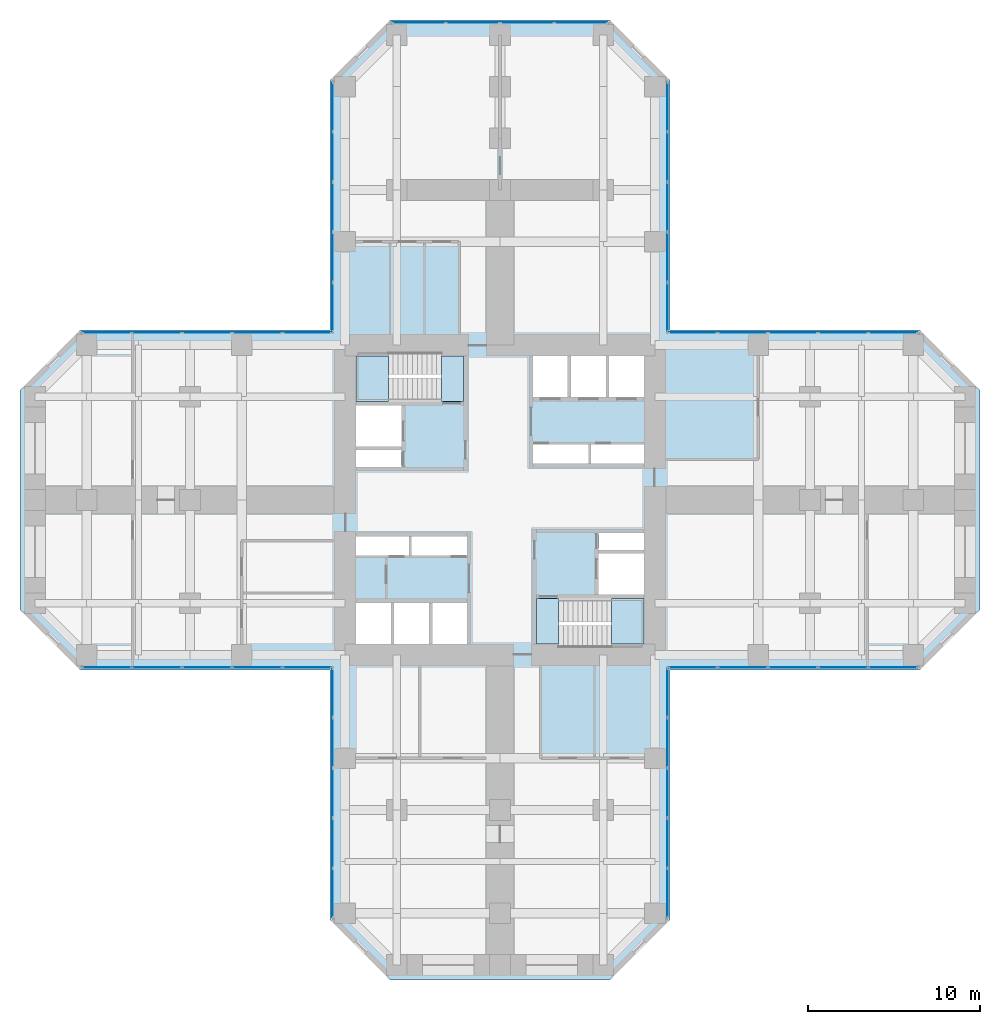
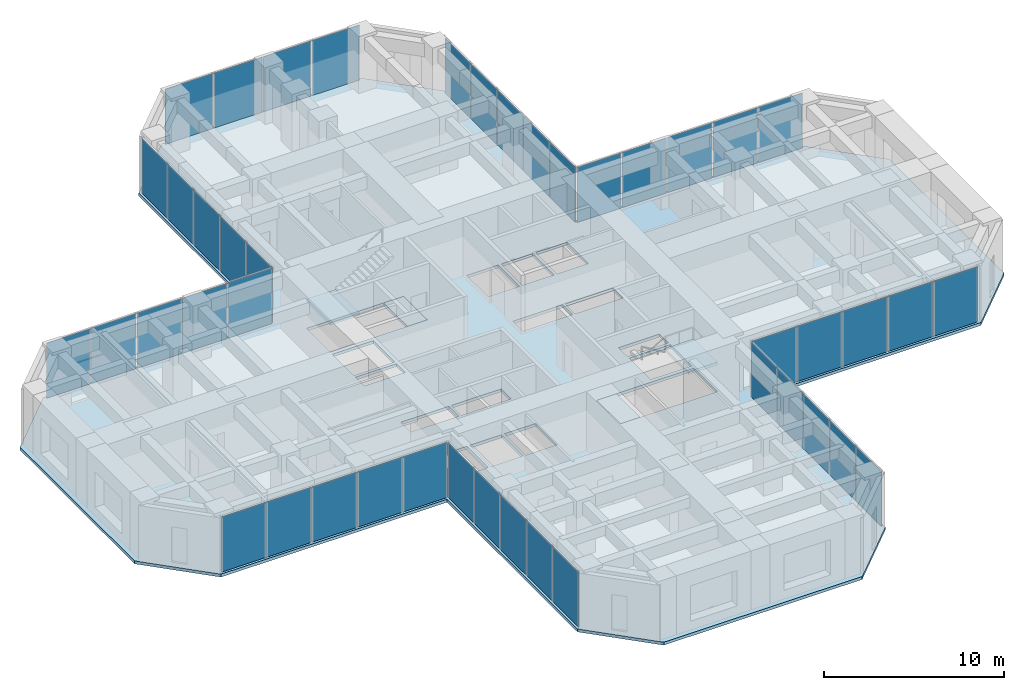
# One storey, part 7 of 12: 44 plates, 5 slabs, 11 elements without a shape of their own.
"""IFC4 building model written with IfcOpenShell, lengths in metres."""

from ifc_helpers import new_model, si_unit, direction, frame, origin, origin_2d, place, context, subcontext, project, spatial, polyline, rectangle, outline, extrude, material, layer, layer_set, type_object, element, aggregate, save


model = new_model("IFC4")

# Units and contexts
model_context = context("Model", 3, precision=1e-05, world=origin(), true_north=direction((0.0, 1.0)))
body_context = subcontext(model_context, "Body", "Model", "MODEL_VIEW")
ifc_project = project(units=[si_unit("LENGTHUNIT", "METRE"), si_unit("AREAUNIT", "SQUARE_METRE"), si_unit("VOLUMEUNIT", "CUBIC_METRE"), si_unit("PLANEANGLEUNIT", "RADIAN"), si_unit("MASSUNIT", "GRAM", prefix="KILO")], contexts=[model_context])

# Site, building, storey
site_placement = place(None, origin())
site = spatial("IfcSite", under=ifc_project, at=site_placement, CompositionType="ELEMENT")
building_placement = place(site_placement, origin())
building = spatial("IfcBuilding", under=site, at=building_placement, Name="Torre Cruceta", CompositionType="ELEMENT")
storey_placement = place(building_placement, frame((0.0, 0.0, 35.5)))
storey = spatial("IfcBuildingStorey", under=building, at=storey_placement, Name="L08", CompositionType="ELEMENT", Elevation=35.5)

# Curtain wall, plate
ifc_material_1 = material(Name="Aluminium unitised curtain wall", Category="aluminium")
curtain_wall_type = type_object("IfcCurtainWallType", Name="CURTAIN WALL CW-A OFFICE LOW RISE", PredefinedType="USERDEFINED", material=ifc_material_1)
curtain_wall_1_placement = place(storey_placement, origin())
curtain_wall_1 = element("IfcCurtainWall", 1, at=curtain_wall_1_placement, inside=storey, type_object=curtain_wall_type, Name="CW-A L08 E side 00", ObjectType="UNITISED", PredefinedType="USERDEFINED")
ifc_material_2 = material(Name="Laminated insulating glass unit, diagonal frit 50 %", Category="glass")
ifc_material_3 = material(Name="Laminated insulating glass unit, diagonal frit 50 %", Category="glass")
ifc_layer_1 = layer(ifc_material_3, 0.033935546875)
ifc_layer_set_1 = layer_set([ifc_layer_1], Name="Laminated insulating glass unit, diagonal frit 50 %")
plate_type_1 = type_object("IfcPlateType", Name="CW-A OPERABLE VENT PANEL 34", PredefinedType="CURTAIN_PANEL", material=ifc_layer_set_1)
plate_1_placement = place(storey_placement, frame((17.009033203125, -9.719970703125, 0.010009765625), z_axis=(0.0, 0.0, 1.0), x_axis=(1.0, 0.0, 0.0)))
plate_1 = element("IfcPlate", 2, at=plate_1_placement, type_object=plate_type_1, material=ifc_material_2, Name="CW-A vent 3", PredefinedType="CURTAIN_PANEL", context=body_context, shape_type="SweptSolid", body=[
    extrude(rectangle(XDim=2.8505859375, YDim=0.033935546875, at=origin_2d()), origin(), (0.0, 0.0, 1.0), 3.72509765625),
])

curtain_wall_2_placement = place(storey_placement, origin())
curtain_wall_2 = element("IfcCurtainWall", 3, at=curtain_wall_2_placement, inside=storey, type_object=curtain_wall_type, Name="CW-A L08 E side 04", ObjectType="UNITISED", PredefinedType="USERDEFINED")
plate_2_placement = place(storey_placement, frame((17.009033203125, 9.719970703125, 0.010009765625), z_axis=(0.0, 0.0, 1.0), x_axis=(-1.0, 0.0, 0.0)))
plate_2 = element("IfcPlate", 4, at=plate_2_placement, type_object=plate_type_1, material=ifc_material_2, Name="CW-A vent 3", PredefinedType="CURTAIN_PANEL", context=body_context, shape_type="SweptSolid", body=[
    extrude(rectangle(XDim=2.8505859375, YDim=0.033935546875, at=origin_2d()), origin(), (0.0, 0.0, 1.0), 3.72509765625),
])

curtain_wall_3_placement = place(storey_placement, origin())
curtain_wall_3 = element("IfcCurtainWall", 5, at=curtain_wall_3_placement, inside=storey, type_object=curtain_wall_type, Name="CW-A L08 N side 05", ObjectType="UNITISED", PredefinedType="USERDEFINED")
plate_3_placement = place(storey_placement, frame((9.719970703125, 17.009033203125, 0.010009765625), z_axis=(0.0, 0.0, 1.0), x_axis=(0.0, 1.0, 0.0)))
plate_3 = element("IfcPlate", 6, at=plate_3_placement, type_object=plate_type_1, material=ifc_material_2, Name="CW-A vent 3", PredefinedType="CURTAIN_PANEL", context=body_context, shape_type="SweptSolid", body=[
    extrude(rectangle(XDim=2.8505859375, YDim=0.033935546875, at=origin_2d()), origin(), (0.0, 0.0, 1.0), 3.72509765625),
])

curtain_wall_4_placement = place(storey_placement, origin())
curtain_wall_4 = element("IfcCurtainWall", 7, at=curtain_wall_4_placement, inside=storey, type_object=curtain_wall_type, Name="CW-A L08 N tip 07", ObjectType="UNITISED", PredefinedType="USERDEFINED")
plate_4_placement = place(storey_placement, frame((-1.574462890625, 27.719970703125, 0.010009765625), z_axis=(0.0, 0.0, 1.0), x_axis=(-1.0, 0.0, 0.0)))
plate_4 = element("IfcPlate", 8, at=plate_4_placement, type_object=plate_type_1, material=ifc_material_2, Name="CW-A vent 3", PredefinedType="CURTAIN_PANEL", context=body_context, shape_type="SweptSolid", body=[
    extrude(rectangle(XDim=3.084228515625, YDim=0.033935546875, at=origin_2d()), origin(), (0.0, 0.0, 1.0), 3.72509765625),
])

curtain_wall_5_placement = place(storey_placement, origin())
curtain_wall_5 = element("IfcCurtainWall", 9, at=curtain_wall_5_placement, inside=storey, type_object=curtain_wall_type, Name="CW-A L08 N side 09", ObjectType="UNITISED", PredefinedType="USERDEFINED")
plate_5_placement = place(storey_placement, frame((-9.719970703125, 17.009033203125, 0.010009765625), z_axis=(0.0, 0.0, 1.0), x_axis=(0.0, -1.0, 0.0)))
plate_5 = element("IfcPlate", 10, at=plate_5_placement, type_object=plate_type_1, material=ifc_material_2, Name="CW-A vent 3", PredefinedType="CURTAIN_PANEL", context=body_context, shape_type="SweptSolid", body=[
    extrude(rectangle(XDim=2.8505859375, YDim=0.033935546875, at=origin_2d()), origin(), (0.0, 0.0, 1.0), 3.72509765625),
])

curtain_wall_6_placement = place(storey_placement, origin())
curtain_wall_6 = element("IfcCurtainWall", 11, at=curtain_wall_6_placement, inside=storey, type_object=curtain_wall_type, Name="CW-A L08 W side 10", ObjectType="UNITISED", PredefinedType="USERDEFINED")
plate_6_placement = place(storey_placement, frame((-17.009033203125, 9.719970703125, 0.010009765625), z_axis=(0.0, 0.0, 1.0), x_axis=(-1.0, 0.0, 0.0)))
plate_6 = element("IfcPlate", 12, at=plate_6_placement, type_object=plate_type_1, material=ifc_material_2, Name="CW-A vent 3", PredefinedType="CURTAIN_PANEL", context=body_context, shape_type="SweptSolid", body=[
    extrude(rectangle(XDim=2.8505859375, YDim=0.033935546875, at=origin_2d()), origin(), (0.0, 0.0, 1.0), 3.72509765625),
])

curtain_wall_7_placement = place(storey_placement, origin())
curtain_wall_7 = element("IfcCurtainWall", 13, at=curtain_wall_7_placement, inside=storey, type_object=curtain_wall_type, Name="CW-A L08 W side 14", ObjectType="UNITISED", PredefinedType="USERDEFINED")
plate_7_placement = place(storey_placement, frame((-17.009033203125, -9.719970703125, 0.010009765625), z_axis=(0.0, 0.0, 1.0), x_axis=(1.0, 0.0, 0.0)))
plate_7 = element("IfcPlate", 14, at=plate_7_placement, type_object=plate_type_1, material=ifc_material_2, Name="CW-A vent 3", PredefinedType="CURTAIN_PANEL", context=body_context, shape_type="SweptSolid", body=[
    extrude(rectangle(XDim=2.8505859375, YDim=0.033935546875, at=origin_2d()), origin(), (0.0, 0.0, 1.0), 3.72509765625),
])

curtain_wall_8_placement = place(storey_placement, origin())
curtain_wall_8 = element("IfcCurtainWall", 15, at=curtain_wall_8_placement, inside=storey, type_object=curtain_wall_type, Name="CW-A L08 S side 15", ObjectType="UNITISED", PredefinedType="USERDEFINED")
plate_8_placement = place(storey_placement, frame((-9.719970703125, -17.009033203125, 0.010009765625), z_axis=(0.0, 0.0, 1.0), x_axis=(0.0, -1.0, 0.0)))
plate_8 = element("IfcPlate", 16, at=plate_8_placement, type_object=plate_type_1, material=ifc_material_2, Name="CW-A vent 3", PredefinedType="CURTAIN_PANEL", context=body_context, shape_type="SweptSolid", body=[
    extrude(rectangle(XDim=2.8505859375, YDim=0.033935546875, at=origin_2d()), origin(), (0.0, 0.0, 1.0), 3.72509765625),
])

curtain_wall_9_placement = place(storey_placement, origin())
curtain_wall_9 = element("IfcCurtainWall", 17, at=curtain_wall_9_placement, inside=storey, type_object=curtain_wall_type, Name="CW-A L08 S side 19", ObjectType="UNITISED", PredefinedType="USERDEFINED")
plate_9_placement = place(storey_placement, frame((9.719970703125, -17.009033203125, 0.010009765625), z_axis=(0.0, 0.0, 1.0), x_axis=(0.0, 1.0, 0.0)))
plate_9 = element("IfcPlate", 18, at=plate_9_placement, type_object=plate_type_1, material=ifc_material_2, Name="CW-A vent 3", PredefinedType="CURTAIN_PANEL", context=body_context, shape_type="SweptSolid", body=[
    extrude(rectangle(XDim=2.8505859375, YDim=0.033935546875, at=origin_2d()), origin(), (0.0, 0.0, 1.0), 3.72509765625),
])

# Plate
ifc_material_4 = material(Name="Laminated insulating glass unit, diagonal frit 50 %", Category="glass")
ifc_layer_2 = layer(ifc_material_4, 0.033935546875)
ifc_layer_set_2 = layer_set([ifc_layer_2], Name="Laminated insulating glass unit, diagonal frit 50 %")
plate_type_2 = type_object("IfcPlateType", Name="CW-A PANEL 34", PredefinedType="CURTAIN_PANEL", material=ifc_layer_set_2)
plate_10_placement = place(storey_placement, frame((11.194091796875, -9.719970703125, 0.010009765625), z_axis=(0.0, 0.0, 1.0), x_axis=(1.0, 0.0, 0.0)))
plate_10 = element("IfcPlate", 19, at=plate_10_placement, type_object=plate_type_2, material=ifc_material_2, Name="CW-A panel 1", PredefinedType="CURTAIN_PANEL", context=body_context, shape_type="SweptSolid", body=[
    extrude(rectangle(XDim=2.818115234375, YDim=0.033935546875, at=origin_2d()), origin(), (0.0, 0.0, 1.0), 3.72509765625),
])

plate_11_placement = place(storey_placement, frame((14.093505859375, -9.719970703125, 0.010009765625), z_axis=(0.0, 0.0, 1.0), x_axis=(1.0, 0.0, 0.0)))
plate_11 = element("IfcPlate", 20, at=plate_11_placement, type_object=plate_type_2, material=ifc_material_2, Name="CW-A panel 2", PredefinedType="CURTAIN_PANEL", context=body_context, shape_type="SweptSolid", body=[
    extrude(rectangle(XDim=2.8505859375, YDim=0.033935546875, at=origin_2d()), origin(), (0.0, 0.0, 1.0), 3.72509765625),
])

plate_12_placement = place(storey_placement, frame((19.9248046875, -9.719970703125, 0.010009765625), z_axis=(0.0, 0.0, 1.0), x_axis=(1.0, 0.0, 0.0)))
plate_12 = element("IfcPlate", 21, at=plate_12_placement, type_object=plate_type_2, material=ifc_material_2, Name="CW-A panel 4", PredefinedType="CURTAIN_PANEL", context=body_context, shape_type="SweptSolid", body=[
    extrude(rectangle(XDim=2.8505859375, YDim=0.033935546875, at=origin_2d()), origin(), (0.0, 0.0, 1.0), 3.72509765625),
])

ifc_material_5 = material(Name="Laminated insulating glass unit, low-iron clear", Category="glass")
plate_13_placement = place(storey_placement, frame((22.82421875, -9.719970703125, 0.010009765625), z_axis=(0.0, 0.0, 1.0), x_axis=(1.0, 0.0, 0.0)))
plate_13 = element("IfcPlate", 22, at=plate_13_placement, type_object=plate_type_2, material=ifc_material_5, Name="CW-A panel 5", PredefinedType="CURTAIN_PANEL", context=body_context, shape_type="SweptSolid", body=[
    extrude(rectangle(XDim=2.818115234375, YDim=0.033935546875, at=origin_2d()), origin(), (0.0, 0.0, 1.0), 3.72509765625),
])

aggregate(curtain_wall_1, [plate_10, plate_11, plate_1, plate_12, plate_13])

plate_14_placement = place(storey_placement, frame((22.82421875, 9.719970703125, 0.010009765625), z_axis=(0.0, 0.0, 1.0), x_axis=(-1.0, 0.0, 0.0)))
plate_14 = element("IfcPlate", 23, at=plate_14_placement, type_object=plate_type_2, material=ifc_material_2, Name="CW-A panel 1", PredefinedType="CURTAIN_PANEL", context=body_context, shape_type="SweptSolid", body=[
    extrude(rectangle(XDim=2.818115234375, YDim=0.033935546875, at=origin_2d()), origin(), (0.0, 0.0, 1.0), 3.72509765625),
])

plate_15_placement = place(storey_placement, frame((19.9248046875, 9.719970703125, 0.010009765625), z_axis=(0.0, 0.0, 1.0), x_axis=(-1.0, 0.0, 0.0)))
plate_15 = element("IfcPlate", 24, at=plate_15_placement, type_object=plate_type_2, material=ifc_material_2, Name="CW-A panel 2", PredefinedType="CURTAIN_PANEL", context=body_context, shape_type="SweptSolid", body=[
    extrude(rectangle(XDim=2.8505859375, YDim=0.033935546875, at=origin_2d()), origin(), (0.0, 0.0, 1.0), 3.72509765625),
])

plate_16_placement = place(storey_placement, frame((14.093505859375, 9.719970703125, 0.010009765625), z_axis=(0.0, 0.0, 1.0), x_axis=(-1.0, 0.0, 0.0)))
plate_16 = element("IfcPlate", 25, at=plate_16_placement, type_object=plate_type_2, material=ifc_material_2, Name="CW-A panel 4", PredefinedType="CURTAIN_PANEL", context=body_context, shape_type="SweptSolid", body=[
    extrude(rectangle(XDim=2.8505859375, YDim=0.033935546875, at=origin_2d()), origin(), (0.0, 0.0, 1.0), 3.72509765625),
])

plate_17_placement = place(storey_placement, frame((11.194091796875, 9.719970703125, 0.010009765625), z_axis=(0.0, 0.0, 1.0), x_axis=(-1.0, 0.0, 0.0)))
plate_17 = element("IfcPlate", 26, at=plate_17_placement, type_object=plate_type_2, material=ifc_material_5, Name="CW-A panel 5", PredefinedType="CURTAIN_PANEL", context=body_context, shape_type="SweptSolid", body=[
    extrude(rectangle(XDim=2.818115234375, YDim=0.033935546875, at=origin_2d()), origin(), (0.0, 0.0, 1.0), 3.72509765625),
])

aggregate(curtain_wall_2, [plate_14, plate_15, plate_2, plate_16, plate_17])

plate_18_placement = place(storey_placement, frame((9.719970703125, 11.194091796875, 0.010009765625), z_axis=(0.0, 0.0, 1.0), x_axis=(0.0, 1.0, 0.0)))
plate_18 = element("IfcPlate", 27, at=plate_18_placement, type_object=plate_type_2, material=ifc_material_2, Name="CW-A panel 1", PredefinedType="CURTAIN_PANEL", context=body_context, shape_type="SweptSolid", body=[
    extrude(rectangle(XDim=2.818115234375, YDim=0.033935546875, at=origin_2d()), origin(), (0.0, 0.0, 1.0), 3.72509765625),
])

plate_19_placement = place(storey_placement, frame((9.719970703125, 14.093505859375, 0.010009765625), z_axis=(0.0, 0.0, 1.0), x_axis=(0.0, 1.0, 0.0)))
plate_19 = element("IfcPlate", 28, at=plate_19_placement, type_object=plate_type_2, material=ifc_material_2, Name="CW-A panel 2", PredefinedType="CURTAIN_PANEL", context=body_context, shape_type="SweptSolid", body=[
    extrude(rectangle(XDim=2.8505859375, YDim=0.033935546875, at=origin_2d()), origin(), (0.0, 0.0, 1.0), 3.72509765625),
])

plate_20_placement = place(storey_placement, frame((9.719970703125, 19.9248046875, 0.010009765625), z_axis=(0.0, 0.0, 1.0), x_axis=(0.0, 1.0, 0.0)))
plate_20 = element("IfcPlate", 29, at=plate_20_placement, type_object=plate_type_2, material=ifc_material_2, Name="CW-A panel 4", PredefinedType="CURTAIN_PANEL", context=body_context, shape_type="SweptSolid", body=[
    extrude(rectangle(XDim=2.8505859375, YDim=0.033935546875, at=origin_2d()), origin(), (0.0, 0.0, 1.0), 3.72509765625),
])

plate_21_placement = place(storey_placement, frame((9.719970703125, 22.82421875, 0.010009765625), z_axis=(0.0, 0.0, 1.0), x_axis=(0.0, 1.0, 0.0)))
plate_21 = element("IfcPlate", 30, at=plate_21_placement, type_object=plate_type_2, material=ifc_material_5, Name="CW-A panel 5", PredefinedType="CURTAIN_PANEL", context=body_context, shape_type="SweptSolid", body=[
    extrude(rectangle(XDim=2.818115234375, YDim=0.033935546875, at=origin_2d()), origin(), (0.0, 0.0, 1.0), 3.72509765625),
])

aggregate(curtain_wall_3, [plate_18, plate_19, plate_3, plate_20, plate_21])

plate_22_placement = place(storey_placement, frame((4.70751953125, 27.719970703125, 0.010009765625), z_axis=(0.0, 0.0, 1.0), x_axis=(-1.0, 0.0, 0.0)))
plate_22 = element("IfcPlate", 31, at=plate_22_placement, type_object=plate_type_2, material=ifc_material_2, Name="CW-A panel 1", PredefinedType="CURTAIN_PANEL", context=body_context, shape_type="SweptSolid", body=[
    extrude(rectangle(XDim=3.051513671875, YDim=0.033935546875, at=origin_2d()), origin(), (0.0, 0.0, 1.0), 3.72509765625),
])

plate_23_placement = place(storey_placement, frame((1.574462890625, 27.719970703125, 0.010009765625), z_axis=(0.0, 0.0, 1.0), x_axis=(-1.0, 0.0, 0.0)))
plate_23 = element("IfcPlate", 32, at=plate_23_placement, type_object=plate_type_2, material=ifc_material_2, Name="CW-A panel 2", PredefinedType="CURTAIN_PANEL", context=body_context, shape_type="SweptSolid", body=[
    extrude(rectangle(XDim=3.084228515625, YDim=0.033935546875, at=origin_2d()), origin(), (0.0, 0.0, 1.0), 3.72509765625),
])

plate_24_placement = place(storey_placement, frame((-4.70751953125, 27.719970703125, 0.010009765625), z_axis=(0.0, 0.0, 1.0), x_axis=(-1.0, 0.0, 0.0)))
plate_24 = element("IfcPlate", 33, at=plate_24_placement, type_object=plate_type_2, material=ifc_material_2, Name="CW-A panel 4", PredefinedType="CURTAIN_PANEL", context=body_context, shape_type="SweptSolid", body=[
    extrude(rectangle(XDim=3.051513671875, YDim=0.033935546875, at=origin_2d()), origin(), (0.0, 0.0, 1.0), 3.72509765625),
])

aggregate(curtain_wall_4, [plate_22, plate_23, plate_4, plate_24])

plate_25_placement = place(storey_placement, frame((-9.719970703125, 22.82421875, 0.010009765625), z_axis=(0.0, 0.0, 1.0), x_axis=(0.0, -1.0, 0.0)))
plate_25 = element("IfcPlate", 34, at=plate_25_placement, type_object=plate_type_2, material=ifc_material_2, Name="CW-A panel 1", PredefinedType="CURTAIN_PANEL", context=body_context, shape_type="SweptSolid", body=[
    extrude(rectangle(XDim=2.818115234375, YDim=0.033935546875, at=origin_2d()), origin(), (0.0, 0.0, 1.0), 3.72509765625),
])

plate_26_placement = place(storey_placement, frame((-9.719970703125, 19.9248046875, 0.010009765625), z_axis=(0.0, 0.0, 1.0), x_axis=(0.0, -1.0, 0.0)))
plate_26 = element("IfcPlate", 35, at=plate_26_placement, type_object=plate_type_2, material=ifc_material_2, Name="CW-A panel 2", PredefinedType="CURTAIN_PANEL", context=body_context, shape_type="SweptSolid", body=[
    extrude(rectangle(XDim=2.8505859375, YDim=0.033935546875, at=origin_2d()), origin(), (0.0, 0.0, 1.0), 3.72509765625),
])

plate_27_placement = place(storey_placement, frame((-9.719970703125, 14.093505859375, 0.010009765625), z_axis=(0.0, 0.0, 1.0), x_axis=(0.0, -1.0, 0.0)))
plate_27 = element("IfcPlate", 36, at=plate_27_placement, type_object=plate_type_2, material=ifc_material_2, Name="CW-A panel 4", PredefinedType="CURTAIN_PANEL", context=body_context, shape_type="SweptSolid", body=[
    extrude(rectangle(XDim=2.8505859375, YDim=0.033935546875, at=origin_2d()), origin(), (0.0, 0.0, 1.0), 3.72509765625),
])

plate_28_placement = place(storey_placement, frame((-9.719970703125, 11.194091796875, 0.010009765625), z_axis=(0.0, 0.0, 1.0), x_axis=(0.0, -1.0, 0.0)))
plate_28 = element("IfcPlate", 37, at=plate_28_placement, type_object=plate_type_2, material=ifc_material_5, Name="CW-A panel 5", PredefinedType="CURTAIN_PANEL", context=body_context, shape_type="SweptSolid", body=[
    extrude(rectangle(XDim=2.818115234375, YDim=0.033935546875, at=origin_2d()), origin(), (0.0, 0.0, 1.0), 3.72509765625),
])

aggregate(curtain_wall_5, [plate_25, plate_26, plate_5, plate_27, plate_28])

plate_29_placement = place(storey_placement, frame((-11.194091796875, 9.719970703125, 0.010009765625), z_axis=(0.0, 0.0, 1.0), x_axis=(-1.0, 0.0, 0.0)))
plate_29 = element("IfcPlate", 38, at=plate_29_placement, type_object=plate_type_2, material=ifc_material_2, Name="CW-A panel 1", PredefinedType="CURTAIN_PANEL", context=body_context, shape_type="SweptSolid", body=[
    extrude(rectangle(XDim=2.818115234375, YDim=0.033935546875, at=origin_2d()), origin(), (0.0, 0.0, 1.0), 3.72509765625),
])

plate_30_placement = place(storey_placement, frame((-14.093505859375, 9.719970703125, 0.010009765625), z_axis=(0.0, 0.0, 1.0), x_axis=(-1.0, 0.0, 0.0)))
plate_30 = element("IfcPlate", 39, at=plate_30_placement, type_object=plate_type_2, material=ifc_material_2, Name="CW-A panel 2", PredefinedType="CURTAIN_PANEL", context=body_context, shape_type="SweptSolid", body=[
    extrude(rectangle(XDim=2.8505859375, YDim=0.033935546875, at=origin_2d()), origin(), (0.0, 0.0, 1.0), 3.72509765625),
])

plate_31_placement = place(storey_placement, frame((-19.9248046875, 9.719970703125, 0.010009765625), z_axis=(0.0, 0.0, 1.0), x_axis=(-1.0, 0.0, 0.0)))
plate_31 = element("IfcPlate", 40, at=plate_31_placement, type_object=plate_type_2, material=ifc_material_2, Name="CW-A panel 4", PredefinedType="CURTAIN_PANEL", context=body_context, shape_type="SweptSolid", body=[
    extrude(rectangle(XDim=2.8505859375, YDim=0.033935546875, at=origin_2d()), origin(), (0.0, 0.0, 1.0), 3.72509765625),
])

plate_32_placement = place(storey_placement, frame((-22.82421875, 9.719970703125, 0.010009765625), z_axis=(0.0, 0.0, 1.0), x_axis=(-1.0, 0.0, 0.0)))
plate_32 = element("IfcPlate", 41, at=plate_32_placement, type_object=plate_type_2, material=ifc_material_5, Name="CW-A panel 5", PredefinedType="CURTAIN_PANEL", context=body_context, shape_type="SweptSolid", body=[
    extrude(rectangle(XDim=2.818115234375, YDim=0.033935546875, at=origin_2d()), origin(), (0.0, 0.0, 1.0), 3.72509765625),
])

aggregate(curtain_wall_6, [plate_29, plate_30, plate_6, plate_31, plate_32])

plate_33_placement = place(storey_placement, frame((-22.82421875, -9.719970703125, 0.010009765625), z_axis=(0.0, 0.0, 1.0), x_axis=(1.0, 0.0, 0.0)))
plate_33 = element("IfcPlate", 42, at=plate_33_placement, type_object=plate_type_2, material=ifc_material_2, Name="CW-A panel 1", PredefinedType="CURTAIN_PANEL", context=body_context, shape_type="SweptSolid", body=[
    extrude(rectangle(XDim=2.818115234375, YDim=0.033935546875, at=origin_2d()), origin(), (0.0, 0.0, 1.0), 3.72509765625),
])

plate_34_placement = place(storey_placement, frame((-19.9248046875, -9.719970703125, 0.010009765625), z_axis=(0.0, 0.0, 1.0), x_axis=(1.0, 0.0, 0.0)))
plate_34 = element("IfcPlate", 43, at=plate_34_placement, type_object=plate_type_2, material=ifc_material_2, Name="CW-A panel 2", PredefinedType="CURTAIN_PANEL", context=body_context, shape_type="SweptSolid", body=[
    extrude(rectangle(XDim=2.8505859375, YDim=0.033935546875, at=origin_2d()), origin(), (0.0, 0.0, 1.0), 3.72509765625),
])

plate_35_placement = place(storey_placement, frame((-14.093505859375, -9.719970703125, 0.010009765625), z_axis=(0.0, 0.0, 1.0), x_axis=(1.0, 0.0, 0.0)))
plate_35 = element("IfcPlate", 44, at=plate_35_placement, type_object=plate_type_2, material=ifc_material_2, Name="CW-A panel 4", PredefinedType="CURTAIN_PANEL", context=body_context, shape_type="SweptSolid", body=[
    extrude(rectangle(XDim=2.8505859375, YDim=0.033935546875, at=origin_2d()), origin(), (0.0, 0.0, 1.0), 3.72509765625),
])

plate_36_placement = place(storey_placement, frame((-11.194091796875, -9.719970703125, 0.010009765625), z_axis=(0.0, 0.0, 1.0), x_axis=(1.0, 0.0, 0.0)))
plate_36 = element("IfcPlate", 45, at=plate_36_placement, type_object=plate_type_2, material=ifc_material_5, Name="CW-A panel 5", PredefinedType="CURTAIN_PANEL", context=body_context, shape_type="SweptSolid", body=[
    extrude(rectangle(XDim=2.818115234375, YDim=0.033935546875, at=origin_2d()), origin(), (0.0, 0.0, 1.0), 3.72509765625),
])

aggregate(curtain_wall_7, [plate_33, plate_34, plate_7, plate_35, plate_36])

plate_37_placement = place(storey_placement, frame((-9.719970703125, -11.194091796875, 0.010009765625), z_axis=(0.0, 0.0, 1.0), x_axis=(0.0, -1.0, 0.0)))
plate_37 = element("IfcPlate", 46, at=plate_37_placement, type_object=plate_type_2, material=ifc_material_2, Name="CW-A panel 1", PredefinedType="CURTAIN_PANEL", context=body_context, shape_type="SweptSolid", body=[
    extrude(rectangle(XDim=2.818115234375, YDim=0.033935546875, at=origin_2d()), origin(), (0.0, 0.0, 1.0), 3.72509765625),
])

plate_38_placement = place(storey_placement, frame((-9.719970703125, -14.093505859375, 0.010009765625), z_axis=(0.0, 0.0, 1.0), x_axis=(0.0, -1.0, 0.0)))
plate_38 = element("IfcPlate", 47, at=plate_38_placement, type_object=plate_type_2, material=ifc_material_2, Name="CW-A panel 2", PredefinedType="CURTAIN_PANEL", context=body_context, shape_type="SweptSolid", body=[
    extrude(rectangle(XDim=2.8505859375, YDim=0.033935546875, at=origin_2d()), origin(), (0.0, 0.0, 1.0), 3.72509765625),
])

plate_39_placement = place(storey_placement, frame((-9.719970703125, -19.9248046875, 0.010009765625), z_axis=(0.0, 0.0, 1.0), x_axis=(0.0, -1.0, 0.0)))
plate_39 = element("IfcPlate", 48, at=plate_39_placement, type_object=plate_type_2, material=ifc_material_2, Name="CW-A panel 4", PredefinedType="CURTAIN_PANEL", context=body_context, shape_type="SweptSolid", body=[
    extrude(rectangle(XDim=2.8505859375, YDim=0.033935546875, at=origin_2d()), origin(), (0.0, 0.0, 1.0), 3.72509765625),
])

plate_40_placement = place(storey_placement, frame((-9.719970703125, -22.82421875, 0.010009765625), z_axis=(0.0, 0.0, 1.0), x_axis=(0.0, -1.0, 0.0)))
plate_40 = element("IfcPlate", 49, at=plate_40_placement, type_object=plate_type_2, material=ifc_material_5, Name="CW-A panel 5", PredefinedType="CURTAIN_PANEL", context=body_context, shape_type="SweptSolid", body=[
    extrude(rectangle(XDim=2.818115234375, YDim=0.033935546875, at=origin_2d()), origin(), (0.0, 0.0, 1.0), 3.72509765625),
])

aggregate(curtain_wall_8, [plate_37, plate_38, plate_8, plate_39, plate_40])

plate_41_placement = place(storey_placement, frame((9.719970703125, -22.82421875, 0.010009765625), z_axis=(0.0, 0.0, 1.0), x_axis=(0.0, 1.0, 0.0)))
plate_41 = element("IfcPlate", 50, at=plate_41_placement, type_object=plate_type_2, material=ifc_material_2, Name="CW-A panel 1", PredefinedType="CURTAIN_PANEL", context=body_context, shape_type="SweptSolid", body=[
    extrude(rectangle(XDim=2.818115234375, YDim=0.033935546875, at=origin_2d()), origin(), (0.0, 0.0, 1.0), 3.72509765625),
])

plate_42_placement = place(storey_placement, frame((9.719970703125, -19.9248046875, 0.010009765625), z_axis=(0.0, 0.0, 1.0), x_axis=(0.0, 1.0, 0.0)))
plate_42 = element("IfcPlate", 51, at=plate_42_placement, type_object=plate_type_2, material=ifc_material_2, Name="CW-A panel 2", PredefinedType="CURTAIN_PANEL", context=body_context, shape_type="SweptSolid", body=[
    extrude(rectangle(XDim=2.8505859375, YDim=0.033935546875, at=origin_2d()), origin(), (0.0, 0.0, 1.0), 3.72509765625),
])

plate_43_placement = place(storey_placement, frame((9.719970703125, -14.093505859375, 0.010009765625), z_axis=(0.0, 0.0, 1.0), x_axis=(0.0, 1.0, 0.0)))
plate_43 = element("IfcPlate", 52, at=plate_43_placement, type_object=plate_type_2, material=ifc_material_2, Name="CW-A panel 4", PredefinedType="CURTAIN_PANEL", context=body_context, shape_type="SweptSolid", body=[
    extrude(rectangle(XDim=2.8505859375, YDim=0.033935546875, at=origin_2d()), origin(), (0.0, 0.0, 1.0), 3.72509765625),
])

plate_44_placement = place(storey_placement, frame((9.719970703125, -11.194091796875, 0.010009765625), z_axis=(0.0, 0.0, 1.0), x_axis=(0.0, 1.0, 0.0)))
plate_44 = element("IfcPlate", 53, at=plate_44_placement, type_object=plate_type_2, material=ifc_material_5, Name="CW-A panel 5", PredefinedType="CURTAIN_PANEL", context=body_context, shape_type="SweptSolid", body=[
    extrude(rectangle(XDim=2.818115234375, YDim=0.033935546875, at=origin_2d()), origin(), (0.0, 0.0, 1.0), 3.72509765625),
])

aggregate(curtain_wall_9, [plate_41, plate_42, plate_9, plate_43, plate_44])

# Slab
ifc_material_6 = material(Name="Concrete G35 (fck 35 MPa)", Category="concrete")
ifc_layer_3 = layer(ifc_material_6, 0.199951171875)
ifc_layer_set_3 = layer_set([ifc_layer_3], Name="Concrete G35 (fck 35 MPa)")
slab_type_1 = type_object("IfcSlabType", Name="FLOOR SLAB 200", PredefinedType="FLOOR", material=ifc_layer_set_3)
slab_1_placement = place(storey_placement, frame((0.0, 0.0, -0.199951171875)))
element("IfcSlab", 54, at=slab_1_placement, inside=storey, type_object=slab_type_1, Name="Floor Slab L08", PredefinedType="FLOOR", context=body_context, shape_type="SweptSolid", body=[
    extrude(outline(polyline([(9.8701171875, -9.8701171875), (9.8701171875, -24.3603515625), (6.3603515625, -27.8701171875), (-6.3603515625, -27.8701171875), (-9.8701171875, -24.3603515625), (-9.8701171875, -9.8701171875), (-24.3603515625, -9.8701171875), (-27.8701171875, -6.3603515625), (-27.8701171875, 6.3603515625), (-24.3603515625, 9.8701171875), (-9.8701171875, 9.8701171875), (-9.8701171875, 24.3603515625), (-6.3603515625, 27.8701171875), (6.3603515625, 27.8701171875), (9.8701171875, 24.3603515625), (9.8701171875, 9.8701171875), (24.3603515625, 9.8701171875), (27.8701171875, 6.3603515625), (27.8701171875, -6.3603515625), (24.3603515625, -9.8701171875), (9.8701171875, -9.8701171875)]), holes=[polyline([(1.925048828125, 5.97509765625), (3.933349609375, 5.97509765625), (3.933349609375, 8.35009765625), (1.925048828125, 8.35009765625), (1.925048828125, 5.97509765625)]), polyline([(4.13330078125, 5.97509765625), (6.1416015625, 5.97509765625), (6.1416015625, 8.35009765625), (4.13330078125, 8.35009765625), (4.13330078125, 5.97509765625)]), polyline([(6.341552734375, 5.97509765625), (8.35009765625, 5.97509765625), (8.35009765625, 8.35009765625), (6.341552734375, 8.35009765625), (6.341552734375, 5.97509765625)]), polyline([(1.925048828125, 2.125), (5.125, 2.125), (5.125, 3.22509765625), (1.925048828125, 3.22509765625), (1.925048828125, 2.125)]), polyline([(5.27490234375, 2.125), (8.35009765625, 2.125), (8.35009765625, 3.22509765625), (5.27490234375, 3.22509765625), (5.27490234375, 2.125)]), polyline([(-8.35009765625, 3.10009765625), (-5.72509765625, 3.10009765625), (-5.72509765625, 5.47509765625), (-8.35009765625, 5.47509765625), (-8.35009765625, 3.10009765625)]), polyline([(-8.35009765625, 1.925048828125), (-5.72509765625, 1.925048828125), (-5.72509765625, 2.89990234375), (-8.35009765625, 2.89990234375), (-8.35009765625, 1.925048828125)]), polyline([(-3.933349609375, -8.35009765625), (-1.925048828125, -8.35009765625), (-1.925048828125, -5.97509765625), (-3.933349609375, -5.97509765625), (-3.933349609375, -8.35009765625)]), polyline([(-6.1416015625, -8.35009765625), (-4.13330078125, -8.35009765625), (-4.13330078125, -5.97509765625), (-6.1416015625, -5.97509765625), (-6.1416015625, -8.35009765625)]), polyline([(-8.35009765625, -8.35009765625), (-6.341552734375, -8.35009765625), (-6.341552734375, -5.97509765625), (-8.35009765625, -5.97509765625), (-8.35009765625, -8.35009765625)]), polyline([(-5.125, -3.22509765625), (-1.925048828125, -3.22509765625), (-1.925048828125, -2.125), (-5.125, -2.125), (-5.125, -3.22509765625)]), polyline([(-8.35009765625, -3.22509765625), (-5.27490234375, -3.22509765625), (-5.27490234375, -2.125), (-8.35009765625, -2.125), (-8.35009765625, -3.22509765625)]), polyline([(5.72509765625, -5.47509765625), (8.35009765625, -5.47509765625), (8.35009765625, -3.10009765625), (5.72509765625, -3.10009765625), (5.72509765625, -5.47509765625)]), polyline([(5.72509765625, -2.89990234375), (8.35009765625, -2.89990234375), (8.35009765625, -1.925048828125), (5.72509765625, -1.925048828125), (5.72509765625, -2.89990234375)]), polyline([(-8.35009765625, 5.72509765625), (-8.35009765625, 8.35009765625), (-3.39990234375, 8.35009765625), (-2.125, 8.35009765625), (-2.125, 5.72509765625), (-3.39990234375, 5.72509765625), (-8.35009765625, 5.72509765625)]), polyline([(2.125, -5.72509765625), (3.39990234375, -5.72509765625), (8.35009765625, -5.72509765625), (8.35009765625, -8.35009765625), (3.39990234375, -8.35009765625), (2.125, -8.35009765625), (2.125, -5.72509765625)])]), origin(), (0.0, 0.0, 1.0), 0.199951171875),
])

# Stair, slab
ifc_material_7 = material(Name="Concrete G30 (fck 30 MPa)", Category="concrete")
stair_type = type_object("IfcStairType", Name="STAIR HALF-TURN 1300", PredefinedType="HALF_TURN_STAIR", material=ifc_material_7)
stair_1_placement = place(storey_placement, origin())
stair_1 = element("IfcStair", 55, at=stair_1_placement, inside=storey, type_object=stair_type, Name="Stair ST1 L08", PredefinedType="HALF_TURN_STAIR")
ifc_material_8 = material(Name="Concrete G30 (fck 30 MPa)", Category="concrete")
ifc_layer_4 = layer(ifc_material_8, 0.199951171875)
ifc_layer_set_4 = layer_set([ifc_layer_4], Name="Concrete G30 (fck 30 MPa)")
slab_type_2 = type_object("IfcSlabType", Name="STAIR LANDING 200", PredefinedType="LANDING", material=ifc_layer_set_4)
slab_2_placement = place(storey_placement, frame((0.0, 0.0, 1.800048828125)))
slab_2 = element("IfcSlab", 56, at=slab_2_placement, type_object=slab_type_2, Name="ST1 landing 1", PredefinedType="LANDING", context=body_context, shape_type="SweptSolid", body=[
    extrude(outline(polyline([(-8.35009765625, 5.72509765625), (-6.47998046875, 5.72509765625), (-6.47998046875, 8.35009765625), (-8.35009765625, 8.35009765625), (-8.35009765625, 5.72509765625)])), origin(), (0.0, 0.0, 1.0), 0.199951171875),
])
aggregate(stair_1, [slab_2])

stair_2_placement = place(storey_placement, origin())
stair_2 = element("IfcStair", 57, at=stair_2_placement, inside=storey, type_object=stair_type, Name="Stair ST2 L08", PredefinedType="HALF_TURN_STAIR")
slab_3_placement = place(storey_placement, frame((0.0, 0.0, 1.800048828125)))
slab_3 = element("IfcSlab", 58, at=slab_3_placement, type_object=slab_type_2, Name="ST2 landing 1", PredefinedType="LANDING", context=body_context, shape_type="SweptSolid", body=[
    extrude(outline(polyline([(6.47998046875, -8.35009765625), (8.35009765625, -8.35009765625), (8.35009765625, -5.72509765625), (6.47998046875, -5.72509765625), (6.47998046875, -8.35009765625)])), origin(), (0.0, 0.0, 1.0), 0.199951171875),
])
aggregate(stair_2, [slab_3])

# Slabs
slab_4_placement = place(storey_placement, frame((0.0, 0.0, -0.199951171875)))
element("IfcSlab", 59, at=slab_4_placement, inside=storey, type_object=slab_type_2, Name="Stair ST1 floor landing L08", PredefinedType="LANDING", context=body_context, shape_type="SweptSolid", body=[
    extrude(outline(polyline([(-2.125, 8.35009765625), (-2.125, 5.72509765625), (-3.39990234375, 5.72509765625), (-3.39990234375, 8.35009765625), (-2.125, 8.35009765625)])), origin(), (0.0, 0.0, 1.0), 0.199951171875),
])
slab_5_placement = place(storey_placement, frame((0.0, 0.0, -0.199951171875)))
element("IfcSlab", 60, at=slab_5_placement, inside=storey, type_object=slab_type_2, Name="Stair ST2 floor landing L08", PredefinedType="LANDING", context=body_context, shape_type="SweptSolid", body=[
    extrude(outline(polyline([(2.125, -8.35009765625), (2.125, -5.72509765625), (3.39990234375, -5.72509765625), (3.39990234375, -8.35009765625), (2.125, -8.35009765625)])), origin(), (0.0, 0.0, 1.0), 0.199951171875),
])

save(model, "model.ifc")
